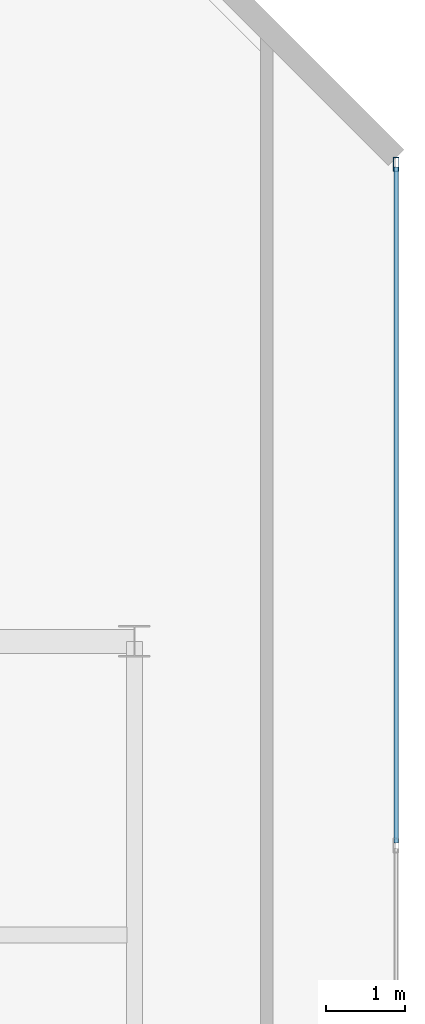
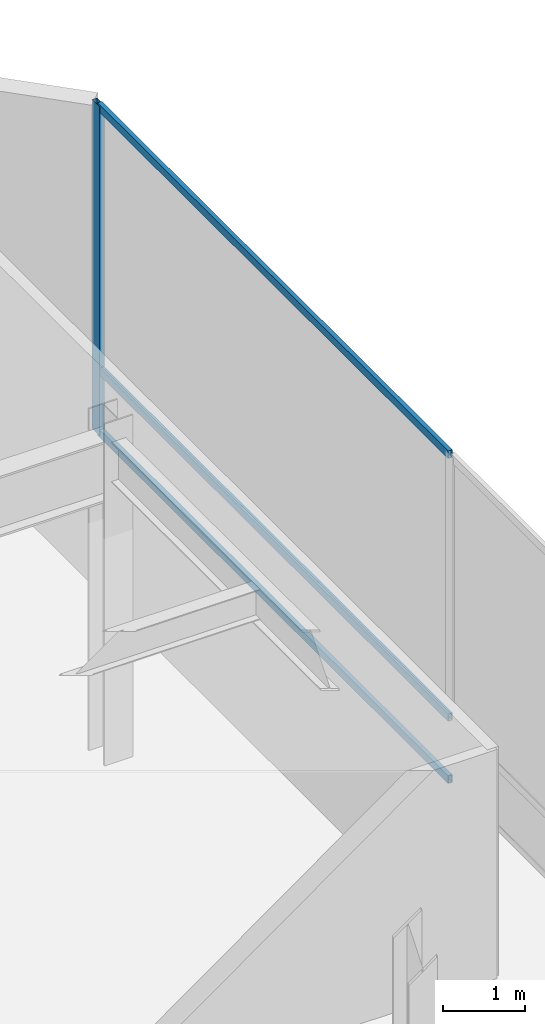
# One storey, part 28 of 40: 4 members, 1 element without a shape of its own.
"""IFC4 building model written with IfcOpenShell, lengths in metres."""

from ifc_helpers import new_model, si_unit, direction, frame, origin, origin_2d, place, context, subcontext, project, spatial, hollow_rectangle, extrude, material, layer, layer_set, material_profile, profile_set, type_object, element, aggregate, save


model = new_model("IFC4")

# Units and contexts
model_context = context("Model", 3, precision=1e-05, world=origin(), true_north=direction((0.0, 1.0)))
body_context = subcontext(model_context, "Body", "Model", "MODEL_VIEW")
ifc_project = project(units=[si_unit("LENGTHUNIT", "METRE"), si_unit("AREAUNIT", "SQUARE_METRE"), si_unit("VOLUMEUNIT", "CUBIC_METRE"), si_unit("PLANEANGLEUNIT", "RADIAN"), si_unit("MASSUNIT", "GRAM", prefix="KILO")], contexts=[model_context])

# Site, building, storey
site_placement = place(None, origin())
site = spatial("IfcSite", under=ifc_project, at=site_placement, CompositionType="ELEMENT")
building_placement = place(site_placement, origin())
building = spatial("IfcBuilding", under=site, at=building_placement, Name="Qianvela Tower", CompositionType="ELEMENT")
storey_placement = place(building_placement, frame((0.0, 0.0, 20.60009765625)))
storey = spatial("IfcBuildingStorey", under=building, at=storey_placement, Name="L04", CompositionType="ELEMENT", Elevation=20.60009765625)

# Curtain wall, members
ifc_material_1 = material(Name="Anodised Architectural Aluminium and Low-E Glass", Category="aluminium")
ifc_layer = layer(ifc_material_1, 0.179931640625)
ifc_layer_set = layer_set([ifc_layer], Name="Anodised Architectural Aluminium and Low-E Glass")
curtain_wall_type = type_object("IfcCurtainWallType", Name="CW-COMMONS", PredefinedType="USERDEFINED", material=ifc_layer_set)
curtain_wall_placement = place(storey_placement, origin())
curtain_wall = element("IfcCurtainWall", 1, at=curtain_wall_placement, inside=storey, type_object=curtain_wall_type, Name="L04 CW-COMMONS Curtain Wall 03", ObjectType="CURTAIN_WALL_SYSTEM", PredefinedType="USERDEFINED")
ifc_material_2 = material(Name="Anodised Architectural Aluminium 6063-T6", Category="aluminium")
ifc_material_profile_1 = material_profile(ifc_material_2, hollow_rectangle(XDim=0.070068359375, YDim=0.179931640625, WallThickness=0.0048828125, at=origin_2d()), Name="ALU-MULL-70x180")
ifc_profile_set_1 = profile_set([ifc_material_profile_1], Name="Anodised Architectural Aluminium 6063-T6")
member_type_1 = type_object("IfcMemberType", Name="CW-COMMONS-MULL", PredefinedType="MULLION", material=ifc_profile_set_1)
member_1_placement = place(storey_placement, frame((70.800048828125, 43.215087890625, 0.0), z_axis=(0.0, 0.0, 1.0), x_axis=(-1.0, 0.0, 0.0)))
member_1 = element("IfcMember", 2, at=member_1_placement, type_object=member_type_1, Name="CW-2 mullion 5", PredefinedType="MULLION", context=body_context, shape_type="SweptSolid", body=[
    extrude(hollow_rectangle(XDim=0.070068359375, YDim=0.179931640625, WallThickness=0.0048828125, at=origin_2d()), origin(), (0.0, 0.0, 1.0), 4.8798828125),
])
ifc_material_3 = material(Name="Anodised Architectural Aluminium 6063-T6", Category="aluminium")
ifc_material_profile_2 = material_profile(ifc_material_3, hollow_rectangle(XDim=0.06005859375, YDim=0.114990234375, WallThickness=0.00390625, at=origin_2d()), Name="ALU-TRAN-60x115")
ifc_profile_set_2 = profile_set([ifc_material_profile_2], Name="Anodised Architectural Aluminium 6063-T6")
member_type_2 = type_object("IfcMemberType", Name="CW-COMMONS-TRAN", PredefinedType="USERDEFINED", material=ifc_profile_set_2)
member_2_placement = place(storey_placement, frame((70.800048828125, 34.659912109375, 0.02978515625), z_axis=(0.0, 1.0, 0.0), x_axis=(-1.0, 0.0, 0.0)))
member_2 = element("IfcMember", 3, at=member_2_placement, type_object=member_type_2, Name="CW-2 transom 4.1", ObjectType="TRANSOM", PredefinedType="USERDEFINED", context=body_context, shape_type="SweptSolid", body=[
    extrude(hollow_rectangle(XDim=0.06005859375, YDim=0.114990234375, WallThickness=0.00390625, at=origin_2d()), origin(), (0.0, 0.0, 1.0), 8.52001953125),
])
member_3_placement = place(storey_placement, frame((70.800048828125, 34.659912109375, 0.949951171875), z_axis=(0.0, 1.0, 0.0), x_axis=(-1.0, 0.0, 0.0)))
member_3 = element("IfcMember", 4, at=member_3_placement, type_object=member_type_2, Name="CW-2 transom 4.2", ObjectType="TRANSOM", PredefinedType="USERDEFINED", context=body_context, shape_type="SweptSolid", body=[
    extrude(hollow_rectangle(XDim=0.06005859375, YDim=0.114990234375, WallThickness=0.00390625, at=origin_2d()), origin(), (0.0, 0.0, 1.0), 8.52001953125),
])
member_4_placement = place(storey_placement, frame((70.800048828125, 34.659912109375, 4.849853515625), z_axis=(0.0, 1.0, 0.0), x_axis=(-1.0, 0.0, 0.0)))
member_4 = element("IfcMember", 5, at=member_4_placement, type_object=member_type_2, Name="CW-2 transom 4.3", ObjectType="TRANSOM", PredefinedType="USERDEFINED", context=body_context, shape_type="SweptSolid", body=[
    extrude(hollow_rectangle(XDim=0.06005859375, YDim=0.114990234375, WallThickness=0.00390625, at=origin_2d()), origin(), (0.0, 0.0, 1.0), 8.52001953125),
])
aggregate(curtain_wall, [member_1, member_2, member_3, member_4])

save(model, "model.ifc")
